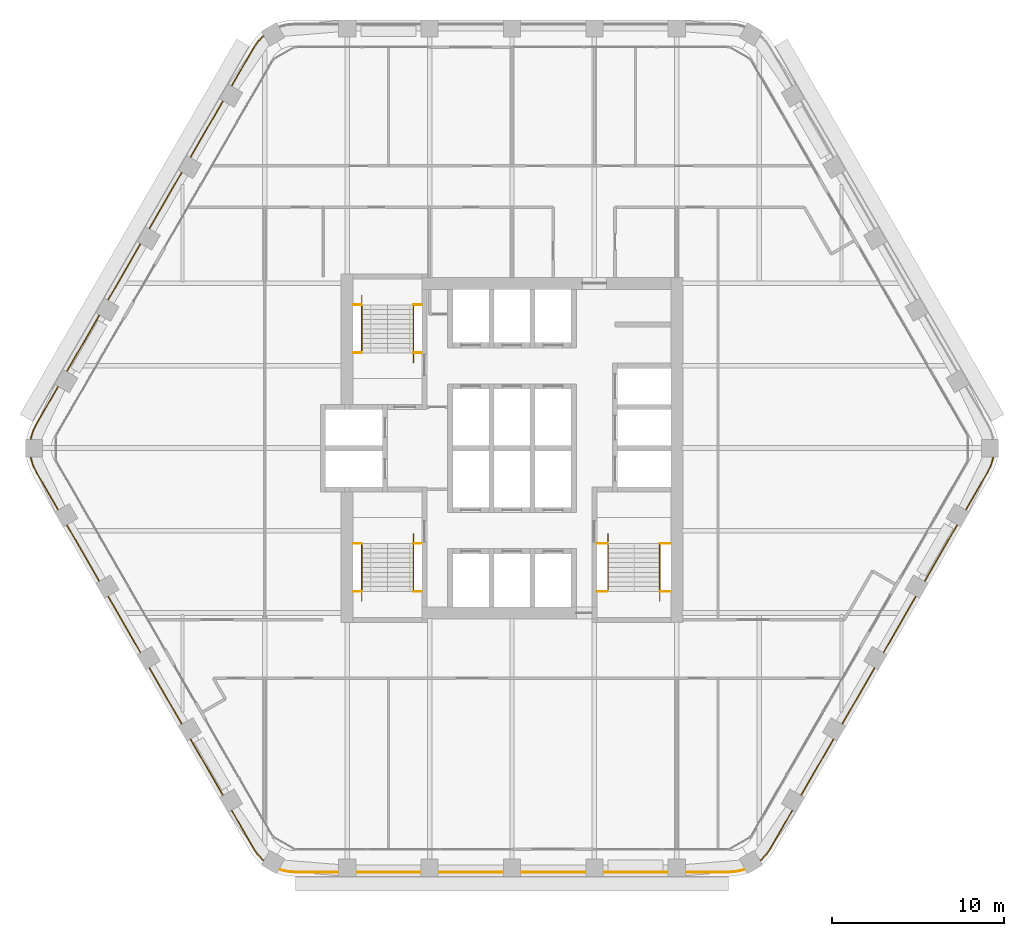
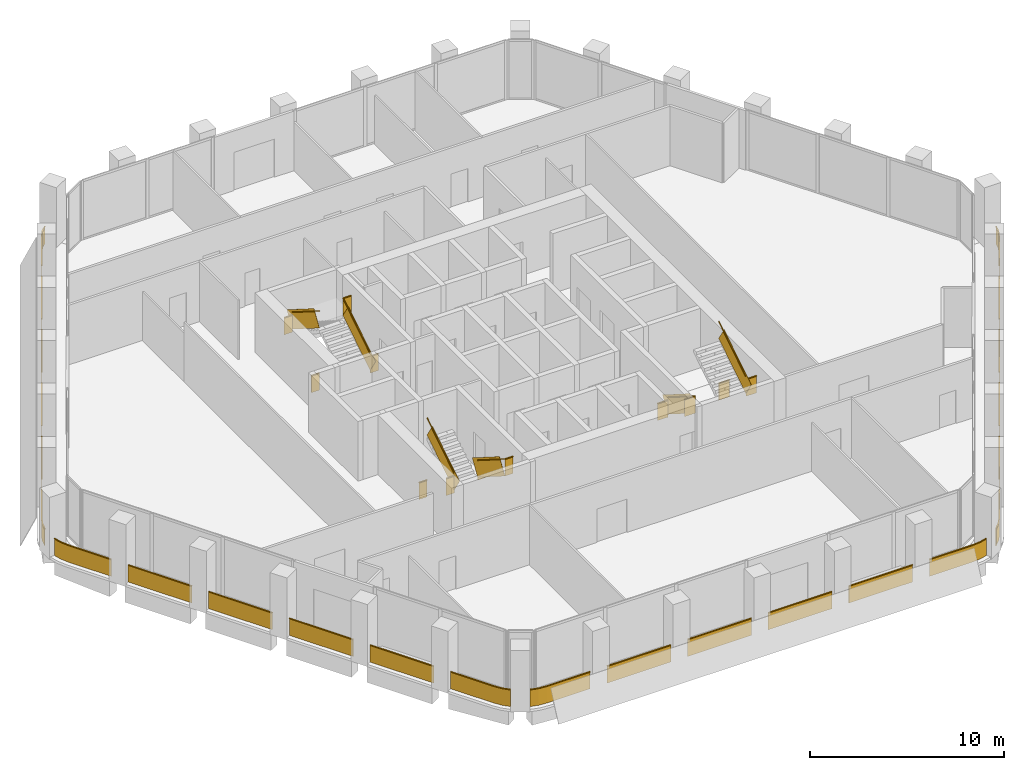
# One storey, part 14 of 15: 10 railings.
"""IFC4 building model written with IfcOpenShell, lengths in metres."""

from ifc_helpers import new_model, si_unit, direction, frame, frame_2d, origin, origin_2d, place, context, subcontext, project, spatial, rectangle, extrude, material, type_object, element, save


model = new_model("IFC4")

# Units and contexts
model_context = context("Model", 3, precision=1e-05, world=origin(), true_north=direction((0.0, 1.0)))
body_context = subcontext(model_context, "Body", "Model", "MODEL_VIEW")
ifc_project = project(units=[si_unit("LENGTHUNIT", "METRE"), si_unit("AREAUNIT", "SQUARE_METRE"), si_unit("VOLUMEUNIT", "CUBIC_METRE"), si_unit("PLANEANGLEUNIT", "RADIAN"), si_unit("MASSUNIT", "GRAM", prefix="KILO")], contexts=[model_context])

# Site, building, storey
site_placement = place(None, origin())
site = spatial("IfcSite", under=ifc_project, at=site_placement, CompositionType="ELEMENT")
building_placement = place(site_placement, origin())
building = spatial("IfcBuilding", under=site, at=building_placement, Name="Kolab Exchange Tower", CompositionType="ELEMENT")
storey_placement = place(building_placement, frame((0.0, 0.0, 158.300048828125)))
storey = spatial("IfcBuildingStorey", under=building, at=storey_placement, Name="L32", CompositionType="ELEMENT", Elevation=158.300048828125)

# Railings
ifc_material_1 = material(Name="Stainless steel 316", Category="steel")
railing_type_1 = type_object("IfcRailingType", Name="GUARD 1100", PredefinedType="GUARDRAIL", material=ifc_material_1)
railing_1_placement = place(storey_placement, frame((-9.25, 5.550048828125, 0.0)))
element("IfcRailing", 1, at=railing_1_placement, inside=storey, type_object=railing_type_1, Name="Guard ST1", PredefinedType="GUARDRAIL", context=body_context, shape_type="SweptSolid", body=[
    extrude(rectangle(XDim=0.05, YDim=0.05, at=origin_2d()), frame((0.0, 0.0, 1.0751953125), z_axis=(1.0, 0.0, 0.0), x_axis=(0.0, 1.0, 0.0)), (0.0, 0.0, 1.0), 0.489990234375),
    extrude(rectangle(XDim=0.012, YDim=1.05009765625, at=frame_2d((0.0, 0.525146484375))), frame((0.0, 0.0, 0.0), z_axis=(1.0, 0.0, 0.0), x_axis=(0.0, 1.0, 0.0)), (0.0, 0.0, 1.0), 0.489990234375),
    extrude(rectangle(XDim=0.05, YDim=0.05, at=origin_2d()), frame((3.510009765625, 0.0, 1.0751953125), z_axis=(1.0, 0.0, 0.0), x_axis=(0.0, 1.0, 0.0)), (0.0, 0.0, 1.0), 0.489990234375),
    extrude(rectangle(XDim=0.012, YDim=1.05009765625, at=frame_2d((0.0, 0.525146484375))), frame((3.510009765625, 0.0, 0.0), z_axis=(1.0, 0.0, 0.0), x_axis=(0.0, 1.0, 0.0)), (0.0, 0.0, 1.0), 0.489990234375),
    extrude(rectangle(XDim=0.05, YDim=0.05, at=origin_2d()), frame((0.0, 2.800048828125, 3.025146484375), z_axis=(1.0, 0.0, 0.0), x_axis=(0.0, 1.0, 0.0)), (0.0, 0.0, 1.0), 0.489990234375),
    extrude(rectangle(XDim=0.012, YDim=1.05009765625, at=frame_2d((0.0, 0.525146484375))), frame((0.0, 2.800048828125, 1.949951171875), z_axis=(1.0, 0.0, 0.0), x_axis=(0.0, 1.0, 0.0)), (0.0, 0.0, 1.0), 0.489990234375),
    extrude(rectangle(XDim=0.05, YDim=0.05, at=origin_2d()), frame((3.510009765625, 2.800048828125, 3.025146484375), z_axis=(1.0, 0.0, 0.0), x_axis=(0.0, 1.0, 0.0)), (0.0, 0.0, 1.0), 0.489990234375),
    extrude(rectangle(XDim=0.012, YDim=1.05009765625, at=frame_2d((0.0, 0.525146484375))), frame((3.510009765625, 2.800048828125, 1.949951171875), z_axis=(1.0, 0.0, 0.0), x_axis=(0.0, 1.0, 0.0)), (0.0, 0.0, 1.0), 0.489990234375),
])
railing_2_placement = place(storey_placement, frame((-5.739990234375, 5.550048828125, 0.17724609375)))
element("IfcRailing", 2, at=railing_2_placement, inside=storey, type_object=railing_type_1, Name="Handrail guard ST1", PredefinedType="GUARDRAIL", context=body_context, shape_type="SweptSolid", body=[
    extrude(rectangle(XDim=0.05, YDim=0.05, at=origin_2d()), frame((0.0, 0.0, 1.0751953125), z_axis=(0.0, 0.844908973607, 0.534910110503), x_axis=(-1.0, 0.0, 0.0)), (0.0, 0.0, 1.0), 3.31396484375),
    extrude(rectangle(XDim=0.012, YDim=1.05009765625, at=frame_2d((0.0, 0.525146484375))), frame((0.0, 0.0, 0.0), z_axis=(0.0, 0.844908973607, 0.534910110503), x_axis=(-1.0, 0.0, 0.0)), (0.0, 0.0, 1.0), 3.31396484375),
    extrude(rectangle(XDim=0.05, YDim=0.05, at=origin_2d()), frame((-3.02001953125, 2.800048828125, 3.025146484375), z_axis=(0.0, -0.844908973607, 0.534910110503), x_axis=(1.0, 0.0, 0.0)), (0.0, 0.0, 1.0), 3.31396484375),
    extrude(rectangle(XDim=0.012, YDim=1.05009765625, at=frame_2d((0.0, 0.525146484375))), frame((-3.02001953125, 2.800048828125, 1.949951171875), z_axis=(0.0, -0.844908973607, 0.534910110503), x_axis=(1.0, 0.0, 0.0)), (0.0, 0.0, 1.0), 3.31396484375),
])
railing_3_placement = place(storey_placement, frame((-9.25, -5.550048828125, 0.0)))
element("IfcRailing", 3, at=railing_3_placement, inside=storey, type_object=railing_type_1, Name="Guard ST3", PredefinedType="GUARDRAIL", context=body_context, shape_type="SweptSolid", body=[
    extrude(rectangle(XDim=0.05, YDim=0.05, at=origin_2d()), frame((0.0, 0.0, 1.0751953125), z_axis=(1.0, 0.0, 0.0), x_axis=(0.0, 1.0, 0.0)), (0.0, 0.0, 1.0), 0.489990234375),
    extrude(rectangle(XDim=0.012, YDim=1.05009765625, at=frame_2d((0.0, 0.525146484375))), frame((0.0, 0.0, 0.0), z_axis=(1.0, 0.0, 0.0), x_axis=(0.0, 1.0, 0.0)), (0.0, 0.0, 1.0), 0.489990234375),
    extrude(rectangle(XDim=0.05, YDim=0.05, at=origin_2d()), frame((3.510009765625, 0.0, 1.0751953125), z_axis=(1.0, 0.0, 0.0), x_axis=(0.0, 1.0, 0.0)), (0.0, 0.0, 1.0), 0.489990234375),
    extrude(rectangle(XDim=0.012, YDim=1.05009765625, at=frame_2d((0.0, 0.525146484375))), frame((3.510009765625, 0.0, 0.0), z_axis=(1.0, 0.0, 0.0), x_axis=(0.0, 1.0, 0.0)), (0.0, 0.0, 1.0), 0.489990234375),
    extrude(rectangle(XDim=0.05, YDim=0.05, at=origin_2d()), frame((0.0, -2.800048828125, 3.025146484375), z_axis=(1.0, 0.0, 0.0), x_axis=(0.0, 1.0, 0.0)), (0.0, 0.0, 1.0), 0.489990234375),
    extrude(rectangle(XDim=0.012, YDim=1.05009765625, at=frame_2d((0.0, 0.525146484375))), frame((0.0, -2.800048828125, 1.949951171875), z_axis=(1.0, 0.0, 0.0), x_axis=(0.0, 1.0, 0.0)), (0.0, 0.0, 1.0), 0.489990234375),
    extrude(rectangle(XDim=0.05, YDim=0.05, at=origin_2d()), frame((3.510009765625, -2.800048828125, 3.025146484375), z_axis=(1.0, 0.0, 0.0), x_axis=(0.0, 1.0, 0.0)), (0.0, 0.0, 1.0), 0.489990234375),
    extrude(rectangle(XDim=0.012, YDim=1.05009765625, at=frame_2d((0.0, 0.525146484375))), frame((3.510009765625, -2.800048828125, 1.949951171875), z_axis=(1.0, 0.0, 0.0), x_axis=(0.0, 1.0, 0.0)), (0.0, 0.0, 1.0), 0.489990234375),
])
railing_4_placement = place(storey_placement, frame((-5.739990234375, -5.550048828125, 0.17724609375)))
element("IfcRailing", 4, at=railing_4_placement, inside=storey, type_object=railing_type_1, Name="Handrail guard ST3", PredefinedType="GUARDRAIL", context=body_context, shape_type="SweptSolid", body=[
    extrude(rectangle(XDim=0.05, YDim=0.05, at=origin_2d()), frame((0.0, 0.0, 1.0751953125), z_axis=(0.0, -0.844908973607, 0.534910110503), x_axis=(1.0, 0.0, 0.0)), (0.0, 0.0, 1.0), 3.31396484375),
    extrude(rectangle(XDim=0.012, YDim=1.05009765625, at=frame_2d((0.0, 0.525146484375))), frame((0.0, 0.0, 0.0), z_axis=(0.0, -0.844908973607, 0.534910110503), x_axis=(1.0, 0.0, 0.0)), (0.0, 0.0, 1.0), 3.31396484375),
    extrude(rectangle(XDim=0.05, YDim=0.05, at=origin_2d()), frame((-3.02001953125, -2.800048828125, 3.025146484375), z_axis=(0.0, 0.844908973607, 0.534910110503), x_axis=(-1.0, 0.0, 0.0)), (0.0, 0.0, 1.0), 3.31396484375),
    extrude(rectangle(XDim=0.012, YDim=1.05009765625, at=frame_2d((0.0, 0.525146484375))), frame((-3.02001953125, -2.800048828125, 1.949951171875), z_axis=(0.0, 0.844908973607, 0.534910110503), x_axis=(-1.0, 0.0, 0.0)), (0.0, 0.0, 1.0), 3.31396484375),
])
railing_5_placement = place(storey_placement, frame((4.949951171875, -5.550048828125, 0.0)))
element("IfcRailing", 5, at=railing_5_placement, inside=storey, type_object=railing_type_1, Name="Guard ST2", PredefinedType="GUARDRAIL", context=body_context, shape_type="SweptSolid", body=[
    extrude(rectangle(XDim=0.05, YDim=0.05, at=origin_2d()), frame((0.0, 0.0, 1.0751953125), z_axis=(1.0, 0.0, 0.0), x_axis=(0.0, 1.0, 0.0)), (0.0, 0.0, 1.0), 0.64013671875),
    extrude(rectangle(XDim=0.012, YDim=1.05009765625, at=frame_2d((0.0, 0.525146484375))), frame((0.0, 0.0, 0.0), z_axis=(1.0, 0.0, 0.0), x_axis=(0.0, 1.0, 0.0)), (0.0, 0.0, 1.0), 0.64013671875),
    extrude(rectangle(XDim=0.05, YDim=0.05, at=origin_2d()), frame((3.66015625, 0.0, 1.0751953125), z_axis=(1.0, 0.0, 0.0), x_axis=(0.0, 1.0, 0.0)), (0.0, 0.0, 1.0), 0.639892578125),
    extrude(rectangle(XDim=0.012, YDim=1.05009765625, at=frame_2d((0.0, 0.525146484375))), frame((3.66015625, 0.0, 0.0), z_axis=(1.0, 0.0, 0.0), x_axis=(0.0, 1.0, 0.0)), (0.0, 0.0, 1.0), 0.639892578125),
    extrude(rectangle(XDim=0.05, YDim=0.05, at=origin_2d()), frame((0.0, -2.800048828125, 3.025146484375), z_axis=(1.0, 0.0, 0.0), x_axis=(0.0, 1.0, 0.0)), (0.0, 0.0, 1.0), 0.64013671875),
    extrude(rectangle(XDim=0.012, YDim=1.05009765625, at=frame_2d((0.0, 0.525146484375))), frame((0.0, -2.800048828125, 1.949951171875), z_axis=(1.0, 0.0, 0.0), x_axis=(0.0, 1.0, 0.0)), (0.0, 0.0, 1.0), 0.64013671875),
    extrude(rectangle(XDim=0.05, YDim=0.05, at=origin_2d()), frame((3.66015625, -2.800048828125, 3.025146484375), z_axis=(1.0, 0.0, 0.0), x_axis=(0.0, 1.0, 0.0)), (0.0, 0.0, 1.0), 0.639892578125),
    extrude(rectangle(XDim=0.012, YDim=1.05009765625, at=frame_2d((0.0, 0.525146484375))), frame((3.66015625, -2.800048828125, 1.949951171875), z_axis=(1.0, 0.0, 0.0), x_axis=(0.0, 1.0, 0.0)), (0.0, 0.0, 1.0), 0.639892578125),
])
railing_6_placement = place(storey_placement, frame((5.590087890625, -5.550048828125, 0.17724609375)))
element("IfcRailing", 6, at=railing_6_placement, inside=storey, type_object=railing_type_1, Name="Handrail guard ST2", PredefinedType="GUARDRAIL", context=body_context, shape_type="SweptSolid", body=[
    extrude(rectangle(XDim=0.05, YDim=0.05, at=origin_2d()), frame((0.0, 0.0, 1.0751953125), z_axis=(0.0, -0.844908973607, 0.534910110503), x_axis=(1.0, 0.0, 0.0)), (0.0, 0.0, 1.0), 3.31396484375),
    extrude(rectangle(XDim=0.012, YDim=1.05009765625, at=frame_2d((0.0, 0.525146484375))), frame((0.0, 0.0, 0.0), z_axis=(0.0, -0.844908973607, 0.534910110503), x_axis=(1.0, 0.0, 0.0)), (0.0, 0.0, 1.0), 3.31396484375),
    extrude(rectangle(XDim=0.05, YDim=0.05, at=origin_2d()), frame((3.02001953125, -2.800048828125, 3.025146484375), z_axis=(0.0, 0.844908973607, 0.534910110503), x_axis=(-1.0, 0.0, 0.0)), (0.0, 0.0, 1.0), 3.31396484375),
    extrude(rectangle(XDim=0.012, YDim=1.05009765625, at=frame_2d((0.0, 0.525146484375))), frame((3.02001953125, -2.800048828125, 1.949951171875), z_axis=(0.0, 0.844908973607, 0.534910110503), x_axis=(-1.0, 0.0, 0.0)), (0.0, 0.0, 1.0), 3.31396484375),
])
ifc_material_2 = material(Name="Steel S235", Category="steel")
railing_type_2 = type_object("IfcRailingType", Name="GUARD 1100 GLASS BALUSTRADE AND STEEL TOP RAIL", PredefinedType="GUARDRAIL", material=ifc_material_2)
railing_7_placement = place(storey_placement, frame((14.4501953125, -24.033447265625, 0.0)))
element("IfcRailing", 7, at=railing_7_placement, inside=storey, type_object=railing_type_2, Name="Guard", PredefinedType="GUARDRAIL", context=body_context, shape_type="SweptSolid", body=[
    extrude(rectangle(XDim=0.05, YDim=0.05, at=origin_2d()), frame((0.0, 0.0, 1.0751953125), z_axis=(0.70737286085, 0.706840601361, 0.0), x_axis=(-0.706840601361, 0.70737286085, 0.0)), (0.0, 0.0, 1.0), 0.458740234375),
    extrude(rectangle(XDim=0.012, YDim=1.05009765625, at=frame_2d((0.0, 0.525146484375))), frame((0.0, 0.0, 0.0), z_axis=(0.70737286085, 0.706840601361, 0.0), x_axis=(-0.706840601361, 0.70737286085, 0.0)), (0.0, 0.0, 1.0), 0.458740234375),
    extrude(rectangle(XDim=0.05, YDim=0.05, at=origin_2d()), frame((0.324462890625, 0.32421875, 1.0751953125), z_axis=(0.573599091554, 0.819136180478, 0.0), x_axis=(-0.819136180478, 0.573599091554, 0.0)), (0.0, 0.0, 1.0), 0.479248046875),
    extrude(rectangle(XDim=0.012, YDim=1.05009765625, at=frame_2d((0.0, 0.525146484375))), frame((0.324462890625, 0.32421875, 0.0), z_axis=(0.573599091554, 0.819136180478, 0.0), x_axis=(-0.819136180478, 0.573599091554, 0.0)), (0.0, 0.0, 1.0), 0.479248046875),
    extrude(rectangle(XDim=0.05, YDim=0.05, at=origin_2d()), frame((0.599365234375, 0.716796875, 1.0751953125), z_axis=(0.499952873616, 0.866052610505, 0.0), x_axis=(-0.866052610505, 0.499952873616, 0.0)), (0.0, 0.0, 1.0), 2.568115234375),
    extrude(rectangle(XDim=0.012, YDim=1.05009765625, at=frame_2d((0.0, 0.525146484375))), frame((0.599365234375, 0.716796875, 0.0), z_axis=(0.499952873616, 0.866052610505, 0.0), x_axis=(-0.866052610505, 0.499952873616, 0.0)), (0.0, 0.0, 1.0), 2.568115234375),
    extrude(rectangle(XDim=0.05, YDim=0.05, at=origin_2d()), frame((2.38330078125, 3.806884765625, 1.0751953125), z_axis=(0.499994975061, 0.866028304915, 0.0), x_axis=(-0.866028304915, 0.499994975061, 0.0)), (0.0, 0.0, 1.0), 3.7998046875),
    extrude(rectangle(XDim=0.012, YDim=1.05009765625, at=frame_2d((0.0, 0.525146484375))), frame((2.38330078125, 3.806884765625, 0.0), z_axis=(0.499994975061, 0.866028304915, 0.0), x_axis=(-0.866028304915, 0.499994975061, 0.0)), (0.0, 0.0, 1.0), 3.7998046875),
    extrude(rectangle(XDim=0.05, YDim=0.05, at=origin_2d()), frame((4.783203125, 7.9638671875, 1.0751953125), z_axis=(0.500043160704, 0.866000483506, 0.0), x_axis=(-0.866000483506, 0.500043160704, 0.0)), (0.0, 0.0, 1.0), 3.800048828125),
    extrude(rectangle(XDim=0.012, YDim=1.05009765625, at=frame_2d((0.0, 0.525146484375))), frame((4.783203125, 7.9638671875, 0.0), z_axis=(0.500043160704, 0.866000483506, 0.0), x_axis=(-0.866000483506, 0.500043160704, 0.0)), (0.0, 0.0, 1.0), 3.800048828125),
    extrude(rectangle(XDim=0.05, YDim=0.05, at=origin_2d()), frame((7.183349609375, 12.12060546875, 1.0751953125), z_axis=(0.499967155389, 0.866044365799, 0.0), x_axis=(-0.866044365799, 0.499967155389, 0.0)), (0.0, 0.0, 1.0), 3.800048828125),
    extrude(rectangle(XDim=0.012, YDim=1.05009765625, at=frame_2d((0.0, 0.525146484375))), frame((7.183349609375, 12.12060546875, 0.0), z_axis=(0.499967155389, 0.866044365799, 0.0), x_axis=(-0.866044365799, 0.499967155389, 0.0)), (0.0, 0.0, 1.0), 3.800048828125),
    extrude(rectangle(XDim=0.05, YDim=0.05, at=origin_2d()), frame((9.583251953125, 16.277587890625, 1.0751953125), z_axis=(0.500015340139, 0.86601654697, 0.0), x_axis=(-0.86601654697, 0.500015340139, 0.0)), (0.0, 0.0, 1.0), 3.80029296875),
    extrude(rectangle(XDim=0.012, YDim=1.05009765625, at=frame_2d((0.0, 0.525146484375))), frame((9.583251953125, 16.277587890625, 0.0), z_axis=(0.500015340139, 0.86601654697, 0.0), x_axis=(-0.86601654697, 0.500015340139, 0.0)), (0.0, 0.0, 1.0), 3.80029296875),
    extrude(rectangle(XDim=0.05, YDim=0.05, at=origin_2d()), frame((11.9833984375, 20.4345703125, 1.0751953125), z_axis=(0.499994038704, 0.866028845513, 0.0), x_axis=(-0.866028845513, 0.499994038704, 0.0)), (0.0, 0.0, 1.0), 2.56787109375),
    extrude(rectangle(XDim=0.012, YDim=1.05009765625, at=frame_2d((0.0, 0.525146484375))), frame((11.9833984375, 20.4345703125, 0.0), z_axis=(0.499994038704, 0.866028845513, 0.0), x_axis=(-0.866028845513, 0.499994038704, 0.0)), (0.0, 0.0, 1.0), 2.56787109375),
    extrude(rectangle(XDim=0.05, YDim=0.05, at=origin_2d()), frame((13.267333984375, 22.658447265625, 1.0751953125), z_axis=(0.422801802984, 0.906222177721, 0.0), x_axis=(-0.906222177721, 0.422801802984, 0.0)), (0.0, 0.0, 1.0), 0.479248046875),
    extrude(rectangle(XDim=0.012, YDim=1.05009765625, at=frame_2d((0.0, 0.525146484375))), frame((13.267333984375, 22.658447265625, 0.0), z_axis=(0.422801802984, 0.906222177721, 0.0), x_axis=(-0.906222177721, 0.422801802984, 0.0)), (0.0, 0.0, 1.0), 0.479248046875),
    extrude(rectangle(XDim=0.05, YDim=0.05, at=origin_2d()), frame((13.469970703125, 23.0927734375, 1.0751953125), z_axis=(0.25865627591, 0.965969425465, 0.0), x_axis=(-0.965969425465, 0.25865627591, 0.0)), (0.0, 0.0, 1.0), 0.458740234375),
    extrude(rectangle(XDim=0.012, YDim=1.05009765625, at=frame_2d((0.0, 0.525146484375))), frame((13.469970703125, 23.0927734375, 0.0), z_axis=(0.25865627591, 0.965969425465, 0.0), x_axis=(-0.965969425465, 0.25865627591, 0.0)), (0.0, 0.0, 1.0), 0.458740234375),
])
railing_8_placement = place(storey_placement, frame((-13.588623046875, -24.531005859375, 0.0)))
element("IfcRailing", 8, at=railing_8_placement, inside=storey, type_object=railing_type_2, Name="Guard", PredefinedType="GUARDRAIL", context=body_context, shape_type="SweptSolid", body=[
    extrude(rectangle(XDim=0.05, YDim=0.05, at=origin_2d()), frame((0.0, 0.0, 1.0751953125), z_axis=(0.965969425465, -0.25865627591, 0.0), x_axis=(0.25865627591, 0.965969425465, 0.0)), (0.0, 0.0, 1.0), 0.458740234375),
    extrude(rectangle(XDim=0.012, YDim=1.05009765625, at=frame_2d((0.0, 0.525146484375))), frame((0.0, 0.0, 0.0), z_axis=(0.965969425465, -0.25865627591, 0.0), x_axis=(0.25865627591, 0.965969425465, 0.0)), (0.0, 0.0, 1.0), 0.458740234375),
    extrude(rectangle(XDim=0.05, YDim=0.05, at=origin_2d()), frame((0.443115234375, -0.11865234375, 1.0751953125), z_axis=(0.996156034798, -0.087596542937, 0.0), x_axis=(0.087596542937, 0.996156034798, 0.0)), (0.0, 0.0, 1.0), 0.4794921875),
    extrude(rectangle(XDim=0.012, YDim=1.05009765625, at=frame_2d((0.0, 0.525146484375))), frame((0.443115234375, -0.11865234375, 0.0), z_axis=(0.996156034798, -0.087596542937, 0.0), x_axis=(0.087596542937, 0.996156034798, 0.0)), (0.0, 0.0, 1.0), 0.4794921875),
    extrude(rectangle(XDim=0.05, YDim=0.05, at=origin_2d()), frame((0.920654296875, -0.16064453125, 1.0751953125), z_axis=(1.0, 0.0, 0.0), x_axis=(0.0, 1.0, 0.0)), (0.0, 0.0, 1.0), 2.56787109375),
    extrude(rectangle(XDim=0.012, YDim=1.05009765625, at=frame_2d((0.0, 0.525146484375))), frame((0.920654296875, -0.16064453125, 0.0), z_axis=(1.0, 0.0, 0.0), x_axis=(0.0, 1.0, 0.0)), (0.0, 0.0, 1.0), 2.56787109375),
    extrude(rectangle(XDim=0.05, YDim=0.05, at=origin_2d()), frame((4.488525390625, -0.16064453125, 1.0751953125), z_axis=(1.0, 0.0, 0.0), x_axis=(0.0, 1.0, 0.0)), (0.0, 0.0, 1.0), 3.800048828125),
    extrude(rectangle(XDim=0.012, YDim=1.05009765625, at=frame_2d((0.0, 0.525146484375))), frame((4.488525390625, -0.16064453125, 0.0), z_axis=(1.0, 0.0, 0.0), x_axis=(0.0, 1.0, 0.0)), (0.0, 0.0, 1.0), 3.800048828125),
    extrude(rectangle(XDim=0.05, YDim=0.05, at=origin_2d()), frame((9.28857421875, -0.16064453125, 1.0751953125), z_axis=(1.0, 0.0, 0.0), x_axis=(0.0, 1.0, 0.0)), (0.0, 0.0, 1.0), 3.800048828125),
    extrude(rectangle(XDim=0.012, YDim=1.05009765625, at=frame_2d((0.0, 0.525146484375))), frame((9.28857421875, -0.16064453125, 0.0), z_axis=(1.0, 0.0, 0.0), x_axis=(0.0, 1.0, 0.0)), (0.0, 0.0, 1.0), 3.800048828125),
    extrude(rectangle(XDim=0.05, YDim=0.05, at=origin_2d()), frame((14.088623046875, -0.16064453125, 1.0751953125), z_axis=(1.0, 0.0, 0.0), x_axis=(0.0, 1.0, 0.0)), (0.0, 0.0, 1.0), 3.800048828125),
    extrude(rectangle(XDim=0.012, YDim=1.05009765625, at=frame_2d((0.0, 0.525146484375))), frame((14.088623046875, -0.16064453125, 0.0), z_axis=(1.0, 0.0, 0.0), x_axis=(0.0, 1.0, 0.0)), (0.0, 0.0, 1.0), 3.800048828125),
    extrude(rectangle(XDim=0.05, YDim=0.05, at=origin_2d()), frame((18.888671875, -0.16064453125, 1.0751953125), z_axis=(1.0, 0.0, 0.0), x_axis=(0.0, 1.0, 0.0)), (0.0, 0.0, 1.0), 3.800048828125),
    extrude(rectangle(XDim=0.012, YDim=1.05009765625, at=frame_2d((0.0, 0.525146484375))), frame((18.888671875, -0.16064453125, 0.0), z_axis=(1.0, 0.0, 0.0), x_axis=(0.0, 1.0, 0.0)), (0.0, 0.0, 1.0), 3.800048828125),
    extrude(rectangle(XDim=0.05, YDim=0.05, at=origin_2d()), frame((23.688720703125, -0.16064453125, 1.0751953125), z_axis=(1.0, 0.0, 0.0), x_axis=(0.0, 1.0, 0.0)), (0.0, 0.0, 1.0), 2.56787109375),
    extrude(rectangle(XDim=0.012, YDim=1.05009765625, at=frame_2d((0.0, 0.525146484375))), frame((23.688720703125, -0.16064453125, 0.0), z_axis=(1.0, 0.0, 0.0), x_axis=(0.0, 1.0, 0.0)), (0.0, 0.0, 1.0), 2.56787109375),
    extrude(rectangle(XDim=0.05, YDim=0.05, at=origin_2d()), frame((26.256591796875, -0.16064453125, 1.0751953125), z_axis=(0.996156034798, 0.087596542937, 0.0), x_axis=(-0.087596542937, 0.996156034798, 0.0)), (0.0, 0.0, 1.0), 0.4794921875),
    extrude(rectangle(XDim=0.012, YDim=1.05009765625, at=frame_2d((0.0, 0.525146484375))), frame((26.256591796875, -0.16064453125, 0.0), z_axis=(0.996156034798, 0.087596542937, 0.0), x_axis=(-0.087596542937, 0.996156034798, 0.0)), (0.0, 0.0, 1.0), 0.4794921875),
    extrude(rectangle(XDim=0.05, YDim=0.05, at=origin_2d()), frame((26.734130859375, -0.11865234375, 1.0751953125), z_axis=(0.965969425465, 0.25865627591, 0.0), x_axis=(-0.25865627591, 0.965969425465, 0.0)), (0.0, 0.0, 1.0), 0.458740234375),
    extrude(rectangle(XDim=0.012, YDim=1.05009765625, at=frame_2d((0.0, 0.525146484375))), frame((26.734130859375, -0.11865234375, 0.0), z_axis=(0.965969425465, 0.25865627591, 0.0), x_axis=(-0.25865627591, 0.965969425465, 0.0)), (0.0, 0.0, 1.0), 0.458740234375),
])
railing_9_placement = place(storey_placement, frame((-28.038818359375, -0.49755859375, 0.0)))
element("IfcRailing", 9, at=railing_9_placement, inside=storey, type_object=railing_type_2, Name="Guard", PredefinedType="GUARDRAIL", context=body_context, shape_type="SweptSolid", body=[
    extrude(rectangle(XDim=0.05, YDim=0.05, at=origin_2d()), frame((0.0, 0.0, 1.0751953125), z_axis=(0.25865627591, -0.965969425465, 0.0), x_axis=(0.965969425465, 0.25865627591, 0.0)), (0.0, 0.0, 1.0), 0.458740234375),
    extrude(rectangle(XDim=0.012, YDim=1.05009765625, at=frame_2d((0.0, 0.525146484375))), frame((0.0, 0.0, 0.0), z_axis=(0.25865627591, -0.965969425465, 0.0), x_axis=(0.965969425465, 0.25865627591, 0.0)), (0.0, 0.0, 1.0), 0.458740234375),
    extrude(rectangle(XDim=0.05, YDim=0.05, at=origin_2d()), frame((0.11865234375, -0.443115234375, 1.0751953125), z_axis=(0.422801802984, -0.906222177721, 0.0), x_axis=(0.906222177721, 0.422801802984, 0.0)), (0.0, 0.0, 1.0), 0.479248046875),
    extrude(rectangle(XDim=0.012, YDim=1.05009765625, at=frame_2d((0.0, 0.525146484375))), frame((0.11865234375, -0.443115234375, 0.0), z_axis=(0.422801802984, -0.906222177721, 0.0), x_axis=(0.906222177721, 0.422801802984, 0.0)), (0.0, 0.0, 1.0), 0.479248046875),
    extrude(rectangle(XDim=0.05, YDim=0.05, at=origin_2d()), frame((0.3212890625, -0.87744140625, 1.0751953125), z_axis=(0.499994038704, -0.866028845513, 0.0), x_axis=(0.866028845513, 0.499994038704, 0.0)), (0.0, 0.0, 1.0), 2.56787109375),
    extrude(rectangle(XDim=0.012, YDim=1.05009765625, at=frame_2d((0.0, 0.525146484375))), frame((0.3212890625, -0.87744140625, 0.0), z_axis=(0.499994038704, -0.866028845513, 0.0), x_axis=(0.866028845513, 0.499994038704, 0.0)), (0.0, 0.0, 1.0), 2.56787109375),
    extrude(rectangle(XDim=0.05, YDim=0.05, at=origin_2d()), frame((2.105224609375, -3.96728515625, 1.0751953125), z_axis=(0.500015340139, -0.86601654697, 0.0), x_axis=(0.86601654697, 0.500015340139, 0.0)), (0.0, 0.0, 1.0), 3.80029296875),
    extrude(rectangle(XDim=0.012, YDim=1.05009765625, at=frame_2d((0.0, 0.525146484375))), frame((2.105224609375, -3.96728515625, 0.0), z_axis=(0.500015340139, -0.86601654697, 0.0), x_axis=(0.86601654697, 0.500015340139, 0.0)), (0.0, 0.0, 1.0), 3.80029296875),
    extrude(rectangle(XDim=0.05, YDim=0.05, at=origin_2d()), frame((4.50537109375, -8.124267578125, 1.0751953125), z_axis=(0.499967155389, -0.866044365799, 0.0), x_axis=(0.866044365799, 0.499967155389, 0.0)), (0.0, 0.0, 1.0), 3.800048828125),
    extrude(rectangle(XDim=0.012, YDim=1.05009765625, at=frame_2d((0.0, 0.525146484375))), frame((4.50537109375, -8.124267578125, 0.0), z_axis=(0.499967155389, -0.866044365799, 0.0), x_axis=(0.866044365799, 0.499967155389, 0.0)), (0.0, 0.0, 1.0), 3.800048828125),
    extrude(rectangle(XDim=0.05, YDim=0.05, at=origin_2d()), frame((6.9052734375, -12.28125, 1.0751953125), z_axis=(0.500043160704, -0.866000483506, 0.0), x_axis=(0.866000483506, 0.500043160704, 0.0)), (0.0, 0.0, 1.0), 3.800048828125),
    extrude(rectangle(XDim=0.012, YDim=1.05009765625, at=frame_2d((0.0, 0.525146484375))), frame((6.9052734375, -12.28125, 0.0), z_axis=(0.500043160704, -0.866000483506, 0.0), x_axis=(0.866000483506, 0.500043160704, 0.0)), (0.0, 0.0, 1.0), 3.800048828125),
    extrude(rectangle(XDim=0.05, YDim=0.05, at=origin_2d()), frame((9.305419921875, -16.438232421875, 1.0751953125), z_axis=(0.499994975061, -0.866028304915, 0.0), x_axis=(0.866028304915, 0.499994975061, 0.0)), (0.0, 0.0, 1.0), 3.7998046875),
    extrude(rectangle(XDim=0.012, YDim=1.05009765625, at=frame_2d((0.0, 0.525146484375))), frame((9.305419921875, -16.438232421875, 0.0), z_axis=(0.499994975061, -0.866028304915, 0.0), x_axis=(0.866028304915, 0.499994975061, 0.0)), (0.0, 0.0, 1.0), 3.7998046875),
    extrude(rectangle(XDim=0.05, YDim=0.05, at=origin_2d()), frame((11.705322265625, -20.594970703125, 1.0751953125), z_axis=(0.499952873616, -0.866052610505, 0.0), x_axis=(0.866052610505, 0.499952873616, 0.0)), (0.0, 0.0, 1.0), 2.568115234375),
    extrude(rectangle(XDim=0.012, YDim=1.05009765625, at=frame_2d((0.0, 0.525146484375))), frame((11.705322265625, -20.594970703125, 0.0), z_axis=(0.499952873616, -0.866052610505, 0.0), x_axis=(0.866052610505, 0.499952873616, 0.0)), (0.0, 0.0, 1.0), 2.568115234375),
    extrude(rectangle(XDim=0.05, YDim=0.05, at=origin_2d()), frame((12.9892578125, -22.819091796875, 1.0751953125), z_axis=(0.573599091554, -0.819136180478, 0.0), x_axis=(0.819136180478, 0.573599091554, 0.0)), (0.0, 0.0, 1.0), 0.479248046875),
    extrude(rectangle(XDim=0.012, YDim=1.05009765625, at=frame_2d((0.0, 0.525146484375))), frame((12.9892578125, -22.819091796875, 0.0), z_axis=(0.573599091554, -0.819136180478, 0.0), x_axis=(0.819136180478, 0.573599091554, 0.0)), (0.0, 0.0, 1.0), 0.479248046875),
    extrude(rectangle(XDim=0.05, YDim=0.05, at=origin_2d()), frame((13.26416015625, -23.211669921875, 1.0751953125), z_axis=(0.70737286085, -0.706840601361, 0.0), x_axis=(0.706840601361, 0.70737286085, 0.0)), (0.0, 0.0, 1.0), 0.458740234375),
    extrude(rectangle(XDim=0.012, YDim=1.05009765625, at=frame_2d((0.0, 0.525146484375))), frame((13.26416015625, -23.211669921875, 0.0), z_axis=(0.70737286085, -0.706840601361, 0.0), x_axis=(0.706840601361, 0.70737286085, 0.0)), (0.0, 0.0, 1.0), 0.458740234375),
])
railing_10_placement = place(storey_placement, frame((-14.4501953125, 24.033447265625, 0.0)))
element("IfcRailing", 10, at=railing_10_placement, inside=storey, type_object=railing_type_2, Name="Guard", PredefinedType="GUARDRAIL", context=body_context, shape_type="SweptSolid", body=[
    extrude(rectangle(XDim=0.05, YDim=0.05, at=origin_2d()), frame((0.0, 0.0, 1.0751953125), z_axis=(-0.70737286085, -0.706840601361, 0.0), x_axis=(0.706840601361, -0.70737286085, 0.0)), (0.0, 0.0, 1.0), 0.458740234375),
    extrude(rectangle(XDim=0.012, YDim=1.05009765625, at=frame_2d((0.0, 0.525146484375))), frame((0.0, 0.0, 0.0), z_axis=(-0.70737286085, -0.706840601361, 0.0), x_axis=(0.706840601361, -0.70737286085, 0.0)), (0.0, 0.0, 1.0), 0.458740234375),
    extrude(rectangle(XDim=0.05, YDim=0.05, at=origin_2d()), frame((-0.324462890625, -0.32421875, 1.0751953125), z_axis=(-0.573599091554, -0.819136180478, 0.0), x_axis=(0.819136180478, -0.573599091554, 0.0)), (0.0, 0.0, 1.0), 0.479248046875),
    extrude(rectangle(XDim=0.012, YDim=1.05009765625, at=frame_2d((0.0, 0.525146484375))), frame((-0.324462890625, -0.32421875, 0.0), z_axis=(-0.573599091554, -0.819136180478, 0.0), x_axis=(0.819136180478, -0.573599091554, 0.0)), (0.0, 0.0, 1.0), 0.479248046875),
    extrude(rectangle(XDim=0.05, YDim=0.05, at=origin_2d()), frame((-0.599365234375, -0.716796875, 1.0751953125), z_axis=(-0.499952873616, -0.866052610505, 0.0), x_axis=(0.866052610505, -0.499952873616, 0.0)), (0.0, 0.0, 1.0), 2.568115234375),
    extrude(rectangle(XDim=0.012, YDim=1.05009765625, at=frame_2d((0.0, 0.525146484375))), frame((-0.599365234375, -0.716796875, 0.0), z_axis=(-0.499952873616, -0.866052610505, 0.0), x_axis=(0.866052610505, -0.499952873616, 0.0)), (0.0, 0.0, 1.0), 2.568115234375),
    extrude(rectangle(XDim=0.05, YDim=0.05, at=origin_2d()), frame((-2.38330078125, -3.806884765625, 1.0751953125), z_axis=(-0.499994975061, -0.866028304915, 0.0), x_axis=(0.866028304915, -0.499994975061, 0.0)), (0.0, 0.0, 1.0), 3.7998046875),
    extrude(rectangle(XDim=0.012, YDim=1.05009765625, at=frame_2d((0.0, 0.525146484375))), frame((-2.38330078125, -3.806884765625, 0.0), z_axis=(-0.499994975061, -0.866028304915, 0.0), x_axis=(0.866028304915, -0.499994975061, 0.0)), (0.0, 0.0, 1.0), 3.7998046875),
    extrude(rectangle(XDim=0.05, YDim=0.05, at=origin_2d()), frame((-4.783203125, -7.9638671875, 1.0751953125), z_axis=(-0.500043160704, -0.866000483506, 0.0), x_axis=(0.866000483506, -0.500043160704, 0.0)), (0.0, 0.0, 1.0), 3.800048828125),
    extrude(rectangle(XDim=0.012, YDim=1.05009765625, at=frame_2d((0.0, 0.525146484375))), frame((-4.783203125, -7.9638671875, 0.0), z_axis=(-0.500043160704, -0.866000483506, 0.0), x_axis=(0.866000483506, -0.500043160704, 0.0)), (0.0, 0.0, 1.0), 3.800048828125),
    extrude(rectangle(XDim=0.05, YDim=0.05, at=origin_2d()), frame((-7.183349609375, -12.12060546875, 1.0751953125), z_axis=(-0.499967155389, -0.866044365799, 0.0), x_axis=(0.866044365799, -0.499967155389, 0.0)), (0.0, 0.0, 1.0), 3.800048828125),
    extrude(rectangle(XDim=0.012, YDim=1.05009765625, at=frame_2d((0.0, 0.525146484375))), frame((-7.183349609375, -12.12060546875, 0.0), z_axis=(-0.499967155389, -0.866044365799, 0.0), x_axis=(0.866044365799, -0.499967155389, 0.0)), (0.0, 0.0, 1.0), 3.800048828125),
    extrude(rectangle(XDim=0.05, YDim=0.05, at=origin_2d()), frame((-9.583251953125, -16.277587890625, 1.0751953125), z_axis=(-0.500015340139, -0.86601654697, 0.0), x_axis=(0.86601654697, -0.500015340139, 0.0)), (0.0, 0.0, 1.0), 3.80029296875),
    extrude(rectangle(XDim=0.012, YDim=1.05009765625, at=frame_2d((0.0, 0.525146484375))), frame((-9.583251953125, -16.277587890625, 0.0), z_axis=(-0.500015340139, -0.86601654697, 0.0), x_axis=(0.86601654697, -0.500015340139, 0.0)), (0.0, 0.0, 1.0), 3.80029296875),
    extrude(rectangle(XDim=0.05, YDim=0.05, at=origin_2d()), frame((-11.9833984375, -20.4345703125, 1.0751953125), z_axis=(-0.499994038704, -0.866028845513, 0.0), x_axis=(0.866028845513, -0.499994038704, 0.0)), (0.0, 0.0, 1.0), 2.56787109375),
    extrude(rectangle(XDim=0.012, YDim=1.05009765625, at=frame_2d((0.0, 0.525146484375))), frame((-11.9833984375, -20.4345703125, 0.0), z_axis=(-0.499994038704, -0.866028845513, 0.0), x_axis=(0.866028845513, -0.499994038704, 0.0)), (0.0, 0.0, 1.0), 2.56787109375),
    extrude(rectangle(XDim=0.05, YDim=0.05, at=origin_2d()), frame((-13.267333984375, -22.658447265625, 1.0751953125), z_axis=(-0.422801802984, -0.906222177721, 0.0), x_axis=(0.906222177721, -0.422801802984, 0.0)), (0.0, 0.0, 1.0), 0.479248046875),
    extrude(rectangle(XDim=0.012, YDim=1.05009765625, at=frame_2d((0.0, 0.525146484375))), frame((-13.267333984375, -22.658447265625, 0.0), z_axis=(-0.422801802984, -0.906222177721, 0.0), x_axis=(0.906222177721, -0.422801802984, 0.0)), (0.0, 0.0, 1.0), 0.479248046875),
    extrude(rectangle(XDim=0.05, YDim=0.05, at=origin_2d()), frame((-13.469970703125, -23.0927734375, 1.0751953125), z_axis=(-0.25865627591, -0.965969425465, 0.0), x_axis=(0.965969425465, -0.25865627591, 0.0)), (0.0, 0.0, 1.0), 0.458740234375),
    extrude(rectangle(XDim=0.012, YDim=1.05009765625, at=frame_2d((0.0, 0.525146484375))), frame((-13.469970703125, -23.0927734375, 0.0), z_axis=(-0.25865627591, -0.965969425465, 0.0), x_axis=(0.965969425465, -0.25865627591, 0.0)), (0.0, 0.0, 1.0), 0.458740234375),
])

save(model, "model.ifc")
